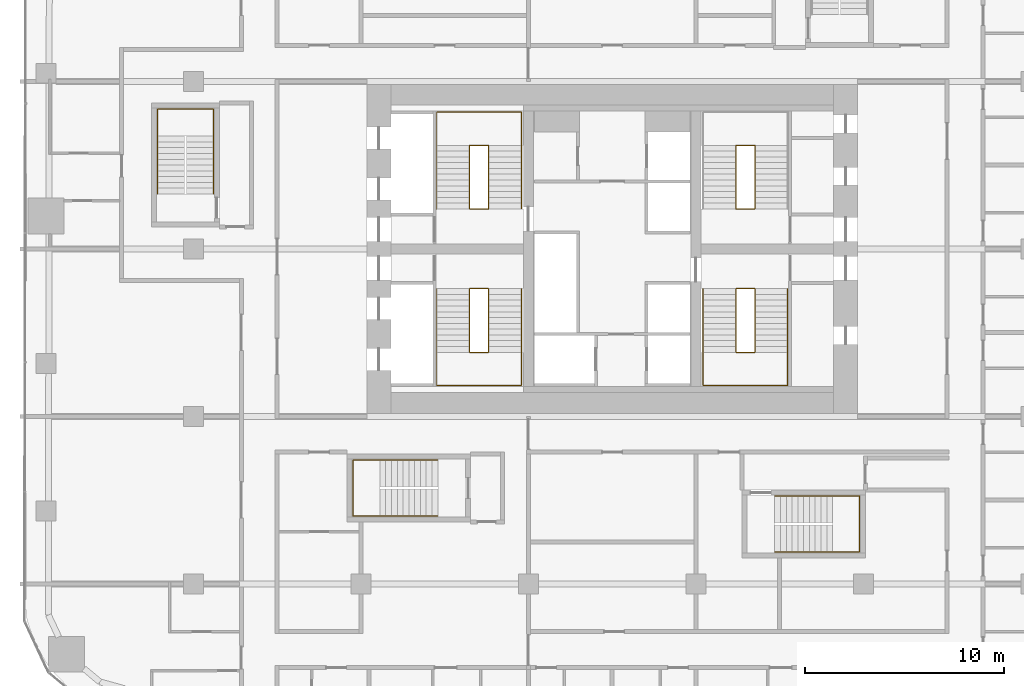
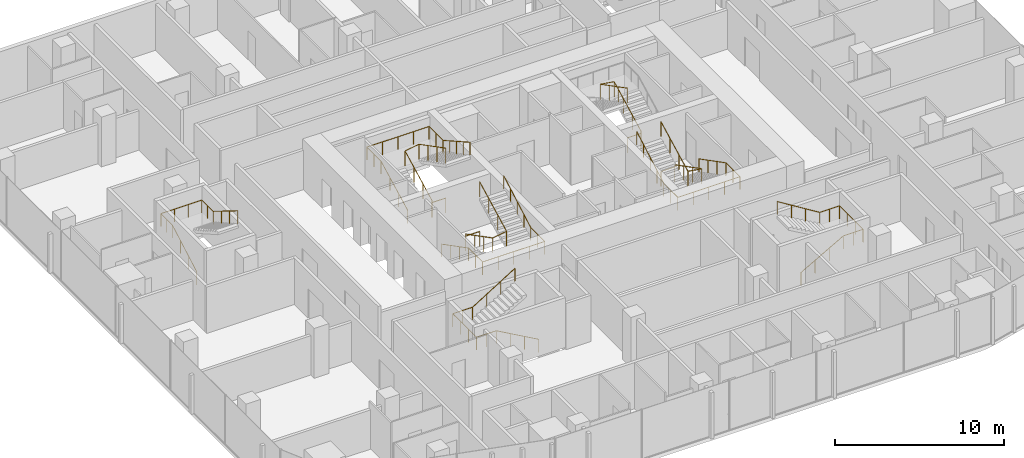
# One storey, part 25 of 26: 10 railings.
"""IFC4 building model written with IfcOpenShell, lengths in metres."""

from ifc_helpers import new_model, si_unit, direction, frame, origin, origin_2d, place, context, subcontext, project, spatial, circle, extrude, material, type_object, element, save


model = new_model("IFC4")

# Units and contexts
model_context = context("Model", 3, precision=1e-05, world=origin(), true_north=direction((0.0, 1.0)))
body_context = subcontext(model_context, "Body", "Model", "MODEL_VIEW")
ifc_project = project(units=[si_unit("LENGTHUNIT", "METRE"), si_unit("AREAUNIT", "SQUARE_METRE"), si_unit("VOLUMEUNIT", "CUBIC_METRE"), si_unit("PLANEANGLEUNIT", "RADIAN"), si_unit("MASSUNIT", "GRAM", prefix="KILO")], contexts=[model_context])

# Site, building, storey
site_placement = place(None, origin())
site = spatial("IfcSite", under=ifc_project, at=site_placement, CompositionType="ELEMENT")
building_placement = place(site_placement, origin())
building = spatial("IfcBuilding", under=site, at=building_placement, Name="Marenta Gate Hotel Tower", CompositionType="ELEMENT")
storey_placement = place(building_placement, frame((0.0, 0.0, 79.699951171875)))
storey = spatial("IfcBuildingStorey", under=building, at=storey_placement, Name="L18", CompositionType="ELEMENT", Elevation=79.699951171875)

# Railings
ifc_material_1 = material(Name="Stainless steel", Category="steel")
railing_type_1 = type_object("IfcRailingType", Name="Core stair handrail 950", PredefinedType="HANDRAIL", material=ifc_material_1)
railing_1_placement = place(storey_placement, frame((-8.800048828125, 6.39990234375, 0.150146484375)))
element("IfcRailing", 1, at=railing_1_placement, inside=storey, type_object=railing_type_1, Name="HR-950 L18-KR-ST1-1", PredefinedType="HANDRAIL", context=body_context, shape_type="SweptSolid", body=[
    extrude(circle(Radius=0.02392578125, at=origin_2d()), frame((0.0, 0.0, 0.92578125), z_axis=(0.0, -0.888225295554, 0.459408123936), x_axis=(1.0, 0.0, 0.0)), (0.0, 0.0, 1.0), 3.59130859375),
    extrude(circle(Radius=0.02392578125, at=origin_2d()), frame((0.0, -3.18994140625, 2.57568359375), z_axis=(0.0, -1.0, 0.0), x_axis=(1.0, 0.0, 0.0)), (0.0, 0.0, 1.0), 1.659912109375),
    extrude(circle(Radius=0.02392578125, at=origin_2d()), frame((0.0, -4.849853515625, 2.57568359375), z_axis=(1.0, 0.0, 0.0), x_axis=(0.0, 1.0, 0.0)), (0.0, 0.0, 1.0), 4.25),
    extrude(circle(Radius=0.02392578125, at=origin_2d()), frame((4.25, -4.849853515625, 2.57568359375), z_axis=(0.0, 1.0, 0.0), x_axis=(-1.0, 0.0, 0.0)), (0.0, 0.0, 1.0), 1.659912109375),
    extrude(circle(Radius=0.02392578125, at=origin_2d()), frame((4.25, -3.18994140625, 2.57568359375), z_axis=(0.0, 0.87090897868, 0.491444351738), x_axis=(-1.0, 0.0, 0.0)), (0.0, 0.0, 1.0), 3.662841796875),
    extrude(circle(Radius=0.02099609375, at=origin_2d()), origin(), (0.0, 0.0, 1.0), 0.90185546875),
    extrude(circle(Radius=0.02099609375, at=origin_2d()), frame((0.0, -1.063232421875, 0.550048828125)), (0.0, 0.0, 1.0), 0.90185546875),
    extrude(circle(Radius=0.02099609375, at=origin_2d()), frame((0.0, -2.126708984375, 1.099853515625)), (0.0, 0.0, 1.0), 0.90185546875),
    extrude(circle(Radius=0.02099609375, at=origin_2d()), frame((0.0, -3.18994140625, 1.64990234375)), (0.0, 0.0, 1.0), 0.90185546875),
    extrude(circle(Radius=0.02099609375, at=origin_2d()), frame((0.0, -4.02001953125, 1.64990234375)), (0.0, 0.0, 1.0), 0.90185546875),
    extrude(circle(Radius=0.02099609375, at=origin_2d()), frame((0.0, -4.849853515625, 1.64990234375)), (0.0, 0.0, 1.0), 0.90185546875),
    extrude(circle(Radius=0.02099609375, at=origin_2d()), frame((1.0625, -4.849853515625, 1.64990234375)), (0.0, 0.0, 1.0), 0.90185546875),
    extrude(circle(Radius=0.02099609375, at=origin_2d()), frame((2.125, -4.849853515625, 1.64990234375)), (0.0, 0.0, 1.0), 0.90185546875),
    extrude(circle(Radius=0.02099609375, at=origin_2d()), frame((3.1875, -4.849853515625, 1.64990234375)), (0.0, 0.0, 1.0), 0.90185546875),
    extrude(circle(Radius=0.02099609375, at=origin_2d()), frame((4.25, -4.849853515625, 1.64990234375)), (0.0, 0.0, 1.0), 0.90185546875),
    extrude(circle(Radius=0.02099609375, at=origin_2d()), frame((4.25, -4.02001953125, 1.64990234375)), (0.0, 0.0, 1.0), 0.90185546875),
    extrude(circle(Radius=0.02099609375, at=origin_2d()), frame((4.25, -3.18994140625, 1.64990234375)), (0.0, 0.0, 1.0), 0.90185546875),
    extrude(circle(Radius=0.02099609375, at=origin_2d()), frame((4.25, -2.392578125, 2.099853515625)), (0.0, 0.0, 1.0), 0.90185546875),
    extrude(circle(Radius=0.02099609375, at=origin_2d()), frame((4.25, -1.594970703125, 2.5498046875)), (0.0, 0.0, 1.0), 0.90185546875),
    extrude(circle(Radius=0.02099609375, at=origin_2d()), frame((4.25, -0.79736328125, 3.0)), (0.0, 0.0, 1.0), 0.90185546875),
    extrude(circle(Radius=0.02099609375, at=origin_2d()), frame((4.25, 0.0, 3.449951171875)), (0.0, 0.0, 1.0), 0.90185546875),
])
railing_2_placement = place(storey_placement, frame((-8.800048828125, 10.39990234375, 0.150146484375)))
element("IfcRailing", 2, at=railing_2_placement, inside=storey, type_object=railing_type_1, Name="HR-950 L18-KR-ST2-1", PredefinedType="HANDRAIL", context=body_context, shape_type="SweptSolid", body=[
    extrude(circle(Radius=0.02392578125, at=origin_2d()), frame((0.0, 0.0, 0.92578125), z_axis=(0.0, 0.888239641807, 0.459380385653), x_axis=(-1.0, 0.0, 0.0)), (0.0, 0.0, 1.0), 3.591552734375),
    extrude(circle(Radius=0.02392578125, at=origin_2d()), frame((0.0, 3.190185546875, 2.57568359375), z_axis=(0.0, 1.0, 0.0), x_axis=(-1.0, 0.0, 0.0)), (0.0, 0.0, 1.0), 1.659912109375),
    extrude(circle(Radius=0.02392578125, at=origin_2d()), frame((0.0, 4.85009765625, 2.57568359375), z_axis=(1.0, 0.0, 0.0), x_axis=(0.0, 1.0, 0.0)), (0.0, 0.0, 1.0), 4.25),
    extrude(circle(Radius=0.02392578125, at=origin_2d()), frame((4.25, 4.85009765625, 2.57568359375), z_axis=(0.0, -1.0, 0.0), x_axis=(1.0, 0.0, 0.0)), (0.0, 0.0, 1.0), 1.659912109375),
    extrude(circle(Radius=0.02392578125, at=origin_2d()), frame((4.25, 3.190185546875, 2.57568359375), z_axis=(0.0, -0.870925075533, 0.491415824742), x_axis=(1.0, 0.0, 0.0)), (0.0, 0.0, 1.0), 3.6630859375),
    extrude(circle(Radius=0.02099609375, at=origin_2d()), origin(), (0.0, 0.0, 1.0), 0.90185546875),
    extrude(circle(Radius=0.02099609375, at=origin_2d()), frame((0.0, 1.0634765625, 0.550048828125)), (0.0, 0.0, 1.0), 0.90185546875),
    extrude(circle(Radius=0.02099609375, at=origin_2d()), frame((0.0, 2.126708984375, 1.099853515625)), (0.0, 0.0, 1.0), 0.90185546875),
    extrude(circle(Radius=0.02099609375, at=origin_2d()), frame((0.0, 3.190185546875, 1.64990234375)), (0.0, 0.0, 1.0), 0.90185546875),
    extrude(circle(Radius=0.02099609375, at=origin_2d()), frame((0.0, 4.02001953125, 1.64990234375)), (0.0, 0.0, 1.0), 0.90185546875),
    extrude(circle(Radius=0.02099609375, at=origin_2d()), frame((0.0, 4.85009765625, 1.64990234375)), (0.0, 0.0, 1.0), 0.90185546875),
    extrude(circle(Radius=0.02099609375, at=origin_2d()), frame((1.0625, 4.85009765625, 1.64990234375)), (0.0, 0.0, 1.0), 0.90185546875),
    extrude(circle(Radius=0.02099609375, at=origin_2d()), frame((2.125, 4.85009765625, 1.64990234375)), (0.0, 0.0, 1.0), 0.90185546875),
    extrude(circle(Radius=0.02099609375, at=origin_2d()), frame((3.1875, 4.85009765625, 1.64990234375)), (0.0, 0.0, 1.0), 0.90185546875),
    extrude(circle(Radius=0.02099609375, at=origin_2d()), frame((4.25, 4.85009765625, 1.64990234375)), (0.0, 0.0, 1.0), 0.90185546875),
    extrude(circle(Radius=0.02099609375, at=origin_2d()), frame((4.25, 4.02001953125, 1.64990234375)), (0.0, 0.0, 1.0), 0.90185546875),
    extrude(circle(Radius=0.02099609375, at=origin_2d()), frame((4.25, 3.190185546875, 1.64990234375)), (0.0, 0.0, 1.0), 0.90185546875),
    extrude(circle(Radius=0.02099609375, at=origin_2d()), frame((4.25, 2.392578125, 2.099853515625)), (0.0, 0.0, 1.0), 0.90185546875),
    extrude(circle(Radius=0.02099609375, at=origin_2d()), frame((4.25, 1.59521484375, 2.5498046875)), (0.0, 0.0, 1.0), 0.90185546875),
    extrude(circle(Radius=0.02099609375, at=origin_2d()), frame((4.25, 0.797607421875, 3.0)), (0.0, 0.0, 1.0), 0.90185546875),
    extrude(circle(Radius=0.02099609375, at=origin_2d()), frame((4.25, 0.0, 3.449951171875)), (0.0, 0.0, 1.0), 0.90185546875),
])
railing_3_placement = place(storey_placement, frame((8.800048828125, 6.39990234375, 0.150146484375)))
element("IfcRailing", 3, at=railing_3_placement, inside=storey, type_object=railing_type_1, Name="HR-950 L18-KR-ST3-1", PredefinedType="HANDRAIL", context=body_context, shape_type="SweptSolid", body=[
    extrude(circle(Radius=0.02392578125, at=origin_2d()), frame((0.0, 0.0, 0.92578125), z_axis=(0.0, -0.888225295554, 0.459408123936), x_axis=(1.0, 0.0, 0.0)), (0.0, 0.0, 1.0), 3.59130859375),
    extrude(circle(Radius=0.02392578125, at=origin_2d()), frame((0.0, -3.18994140625, 2.57568359375), z_axis=(0.0, -1.0, 0.0), x_axis=(1.0, 0.0, 0.0)), (0.0, 0.0, 1.0), 1.659912109375),
    extrude(circle(Radius=0.02392578125, at=origin_2d()), frame((0.0, -4.849853515625, 2.57568359375), z_axis=(-1.0, 0.0, 0.0), x_axis=(0.0, -1.0, 0.0)), (0.0, 0.0, 1.0), 4.25),
    extrude(circle(Radius=0.02392578125, at=origin_2d()), frame((-4.25, -4.849853515625, 2.57568359375), z_axis=(0.0, 1.0, 0.0), x_axis=(-1.0, 0.0, 0.0)), (0.0, 0.0, 1.0), 1.659912109375),
    extrude(circle(Radius=0.02392578125, at=origin_2d()), frame((-4.25, -3.18994140625, 2.57568359375), z_axis=(0.0, 0.87090897868, 0.491444351738), x_axis=(-1.0, 0.0, 0.0)), (0.0, 0.0, 1.0), 3.662841796875),
    extrude(circle(Radius=0.02099609375, at=origin_2d()), origin(), (0.0, 0.0, 1.0), 0.90185546875),
    extrude(circle(Radius=0.02099609375, at=origin_2d()), frame((0.0, -1.063232421875, 0.550048828125)), (0.0, 0.0, 1.0), 0.90185546875),
    extrude(circle(Radius=0.02099609375, at=origin_2d()), frame((0.0, -2.126708984375, 1.099853515625)), (0.0, 0.0, 1.0), 0.90185546875),
    extrude(circle(Radius=0.02099609375, at=origin_2d()), frame((0.0, -3.18994140625, 1.64990234375)), (0.0, 0.0, 1.0), 0.90185546875),
    extrude(circle(Radius=0.02099609375, at=origin_2d()), frame((0.0, -4.02001953125, 1.64990234375)), (0.0, 0.0, 1.0), 0.90185546875),
    extrude(circle(Radius=0.02099609375, at=origin_2d()), frame((0.0, -4.849853515625, 1.64990234375)), (0.0, 0.0, 1.0), 0.90185546875),
    extrude(circle(Radius=0.02099609375, at=origin_2d()), frame((-1.0625, -4.849853515625, 1.64990234375)), (0.0, 0.0, 1.0), 0.90185546875),
    extrude(circle(Radius=0.02099609375, at=origin_2d()), frame((-2.125, -4.849853515625, 1.64990234375)), (0.0, 0.0, 1.0), 0.90185546875),
    extrude(circle(Radius=0.02099609375, at=origin_2d()), frame((-3.1875, -4.849853515625, 1.64990234375)), (0.0, 0.0, 1.0), 0.90185546875),
    extrude(circle(Radius=0.02099609375, at=origin_2d()), frame((-4.25, -4.849853515625, 1.64990234375)), (0.0, 0.0, 1.0), 0.90185546875),
    extrude(circle(Radius=0.02099609375, at=origin_2d()), frame((-4.25, -4.02001953125, 1.64990234375)), (0.0, 0.0, 1.0), 0.90185546875),
    extrude(circle(Radius=0.02099609375, at=origin_2d()), frame((-4.25, -3.18994140625, 1.64990234375)), (0.0, 0.0, 1.0), 0.90185546875),
    extrude(circle(Radius=0.02099609375, at=origin_2d()), frame((-4.25, -2.392578125, 2.099853515625)), (0.0, 0.0, 1.0), 0.90185546875),
    extrude(circle(Radius=0.02099609375, at=origin_2d()), frame((-4.25, -1.594970703125, 2.5498046875)), (0.0, 0.0, 1.0), 0.90185546875),
    extrude(circle(Radius=0.02099609375, at=origin_2d()), frame((-4.25, -0.79736328125, 3.0)), (0.0, 0.0, 1.0), 0.90185546875),
    extrude(circle(Radius=0.02099609375, at=origin_2d()), frame((-4.25, 0.0, 3.449951171875)), (0.0, 0.0, 1.0), 0.90185546875),
])
railing_4_placement = place(storey_placement, frame((8.14990234375, -6.800048828125, 0.16357421875)))
element("IfcRailing", 4, at=railing_4_placement, inside=storey, type_object=railing_type_1, Name="HR-950 L18-RS-Z1-1-KR-1", PredefinedType="HANDRAIL", context=body_context, shape_type="SweptSolid", body=[
    extrude(circle(Radius=0.02392578125, at=origin_2d()), frame((0.0, 0.0, 0.92578125), z_axis=(0.870914908162, 0.0, 0.491433843708), x_axis=(0.0, 1.0, 0.0)), (0.0, 0.0, 1.0), 3.330078125),
    extrude(circle(Radius=0.02392578125, at=origin_2d()), frame((2.900146484375, 0.0, 2.5625), z_axis=(1.0, 0.0, 0.0), x_axis=(0.0, 1.0, 0.0)), (0.0, 0.0, 1.0), 1.349853515625),
    extrude(circle(Radius=0.02392578125, at=origin_2d()), frame((4.25, 0.0, 2.5625), z_axis=(0.0, 1.0, 0.0), x_axis=(-1.0, 0.0, 0.0)), (0.0, 0.0, 1.0), 2.800048828125),
    extrude(circle(Radius=0.02392578125, at=origin_2d()), frame((4.25, 2.800048828125, 2.5625), z_axis=(-1.0, 0.0, 0.0), x_axis=(0.0, -1.0, 0.0)), (0.0, 0.0, 1.0), 1.349853515625),
    extrude(circle(Radius=0.02392578125, at=origin_2d()), frame((2.900146484375, 2.800048828125, 2.5625), z_axis=(-0.849645691689, 0.0, 0.527353959494), x_axis=(0.0, -1.0, 0.0)), (0.0, 0.0, 1.0), 3.413330078125),
    extrude(circle(Radius=0.02099609375, at=origin_2d()), origin(), (0.0, 0.0, 1.0), 0.90185546875),
    extrude(circle(Radius=0.02099609375, at=origin_2d()), frame((0.966796875, 0.0, 0.54541015625)), (0.0, 0.0, 1.0), 0.90185546875),
    extrude(circle(Radius=0.02099609375, at=origin_2d()), frame((1.933349609375, 0.0, 1.091064453125)), (0.0, 0.0, 1.0), 0.90185546875),
    extrude(circle(Radius=0.02099609375, at=origin_2d()), frame((2.900146484375, 0.0, 1.636474609375)), (0.0, 0.0, 1.0), 0.90185546875),
    extrude(circle(Radius=0.02099609375, at=origin_2d()), frame((3.5751953125, 0.0, 1.636474609375)), (0.0, 0.0, 1.0), 0.90185546875),
    extrude(circle(Radius=0.02099609375, at=origin_2d()), frame((4.25, 0.0, 1.636474609375)), (0.0, 0.0, 1.0), 0.90185546875),
    extrude(circle(Radius=0.02099609375, at=origin_2d()), frame((4.25, 0.933349609375, 1.636474609375)), (0.0, 0.0, 1.0), 0.90185546875),
    extrude(circle(Radius=0.02099609375, at=origin_2d()), frame((4.25, 1.86669921875, 1.636474609375)), (0.0, 0.0, 1.0), 0.90185546875),
    extrude(circle(Radius=0.02099609375, at=origin_2d()), frame((4.25, 2.800048828125, 1.636474609375)), (0.0, 0.0, 1.0), 0.90185546875),
    extrude(circle(Radius=0.02099609375, at=origin_2d()), frame((3.5751953125, 2.800048828125, 1.636474609375)), (0.0, 0.0, 1.0), 0.90185546875),
    extrude(circle(Radius=0.02099609375, at=origin_2d()), frame((2.900146484375, 2.800048828125, 1.636474609375)), (0.0, 0.0, 1.0), 0.90185546875),
    extrude(circle(Radius=0.02099609375, at=origin_2d()), frame((1.933349609375, 2.800048828125, 2.236572265625)), (0.0, 0.0, 1.0), 0.90185546875),
    extrude(circle(Radius=0.02099609375, at=origin_2d()), frame((0.966796875, 2.800048828125, 2.83642578125)), (0.0, 0.0, 1.0), 0.90185546875),
    extrude(circle(Radius=0.02099609375, at=origin_2d()), frame((0.0, 2.800048828125, 3.4365234375)), (0.0, 0.0, 1.0), 0.90185546875),
])
railing_5_placement = place(storey_placement, frame((-8.75, -5.0, 0.16357421875)))
element("IfcRailing", 5, at=railing_5_placement, inside=storey, type_object=railing_type_1, Name="HR-950 L18-RS-Z1-2-KR-1", PredefinedType="HANDRAIL", context=body_context, shape_type="SweptSolid", body=[
    extrude(circle(Radius=0.02392578125, at=origin_2d()), frame((0.0, 0.0, 0.92578125), z_axis=(-0.870897200241, 0.0, 0.491465224214), x_axis=(0.0, -1.0, 0.0)), (0.0, 0.0, 1.0), 3.329833984375),
    extrude(circle(Radius=0.02392578125, at=origin_2d()), frame((-2.89990234375, 0.0, 2.5625), z_axis=(-1.0, 0.0, 0.0), x_axis=(0.0, -1.0, 0.0)), (0.0, 0.0, 1.0), 1.35009765625),
    extrude(circle(Radius=0.02392578125, at=origin_2d()), frame((-4.25, 0.0, 2.5625), z_axis=(0.0, 1.0, 0.0), x_axis=(-1.0, 0.0, 0.0)), (0.0, 0.0, 1.0), 2.800048828125),
    extrude(circle(Radius=0.02392578125, at=origin_2d()), frame((-4.25, 2.800048828125, 2.5625), z_axis=(1.0, 0.0, 0.0), x_axis=(0.0, 1.0, 0.0)), (0.0, 0.0, 1.0), 1.35009765625),
    extrude(circle(Radius=0.02392578125, at=origin_2d()), frame((-2.89990234375, 2.800048828125, 2.5625), z_axis=(0.849625798611, 0.0, 0.527386008853), x_axis=(0.0, 1.0, 0.0)), (0.0, 0.0, 1.0), 3.4130859375),
    extrude(circle(Radius=0.02099609375, at=origin_2d()), origin(), (0.0, 0.0, 1.0), 0.90185546875),
    extrude(circle(Radius=0.02099609375, at=origin_2d()), frame((-0.966552734375, 0.0, 0.54541015625)), (0.0, 0.0, 1.0), 0.90185546875),
    extrude(circle(Radius=0.02099609375, at=origin_2d()), frame((-1.933349609375, 0.0, 1.091064453125)), (0.0, 0.0, 1.0), 0.90185546875),
    extrude(circle(Radius=0.02099609375, at=origin_2d()), frame((-2.89990234375, 0.0, 1.636474609375)), (0.0, 0.0, 1.0), 0.90185546875),
    extrude(circle(Radius=0.02099609375, at=origin_2d()), frame((-3.574951171875, 0.0, 1.636474609375)), (0.0, 0.0, 1.0), 0.90185546875),
    extrude(circle(Radius=0.02099609375, at=origin_2d()), frame((-4.25, 0.0, 1.636474609375)), (0.0, 0.0, 1.0), 0.90185546875),
    extrude(circle(Radius=0.02099609375, at=origin_2d()), frame((-4.25, 0.933349609375, 1.636474609375)), (0.0, 0.0, 1.0), 0.90185546875),
    extrude(circle(Radius=0.02099609375, at=origin_2d()), frame((-4.25, 1.86669921875, 1.636474609375)), (0.0, 0.0, 1.0), 0.90185546875),
    extrude(circle(Radius=0.02099609375, at=origin_2d()), frame((-4.25, 2.800048828125, 1.636474609375)), (0.0, 0.0, 1.0), 0.90185546875),
    extrude(circle(Radius=0.02099609375, at=origin_2d()), frame((-3.574951171875, 2.800048828125, 1.636474609375)), (0.0, 0.0, 1.0), 0.90185546875),
    extrude(circle(Radius=0.02099609375, at=origin_2d()), frame((-2.89990234375, 2.800048828125, 1.636474609375)), (0.0, 0.0, 1.0), 0.90185546875),
    extrude(circle(Radius=0.02099609375, at=origin_2d()), frame((-1.933349609375, 2.800048828125, 2.236572265625)), (0.0, 0.0, 1.0), 0.90185546875),
    extrude(circle(Radius=0.02099609375, at=origin_2d()), frame((-0.966552734375, 2.800048828125, 2.83642578125)), (0.0, 0.0, 1.0), 0.90185546875),
    extrude(circle(Radius=0.02099609375, at=origin_2d()), frame((0.0, 2.800048828125, 3.4365234375)), (0.0, 0.0, 1.0), 0.90185546875),
])
railing_6_placement = place(storey_placement, frame((-22.800048828125, 11.14990234375, 0.16357421875)))
element("IfcRailing", 6, at=railing_6_placement, inside=storey, type_object=railing_type_1, Name="HR-950 L18-RS-Z1-3-KR-1", PredefinedType="HANDRAIL", context=body_context, shape_type="SweptSolid", body=[
    extrude(circle(Radius=0.02392578125, at=origin_2d()), frame((0.0, 0.0, 0.92578125), z_axis=(0.0, 0.870914908162, 0.491433843708), x_axis=(-1.0, 0.0, 0.0)), (0.0, 0.0, 1.0), 3.330078125),
    extrude(circle(Radius=0.02392578125, at=origin_2d()), frame((0.0, 2.900146484375, 2.5625), z_axis=(0.0, 1.0, 0.0), x_axis=(-1.0, 0.0, 0.0)), (0.0, 0.0, 1.0), 1.349853515625),
    extrude(circle(Radius=0.02392578125, at=origin_2d()), frame((0.0, 4.25, 2.5625), z_axis=(1.0, 0.0, 0.0), x_axis=(0.0, 1.0, 0.0)), (0.0, 0.0, 1.0), 2.800048828125),
    extrude(circle(Radius=0.02392578125, at=origin_2d()), frame((2.800048828125, 4.25, 2.5625), z_axis=(0.0, -1.0, 0.0), x_axis=(1.0, 0.0, 0.0)), (0.0, 0.0, 1.0), 1.349853515625),
    extrude(circle(Radius=0.02392578125, at=origin_2d()), frame((2.800048828125, 2.900146484375, 2.5625), z_axis=(0.0, -0.849645691689, 0.527353959494), x_axis=(1.0, 0.0, 0.0)), (0.0, 0.0, 1.0), 3.413330078125),
    extrude(circle(Radius=0.02099609375, at=origin_2d()), origin(), (0.0, 0.0, 1.0), 0.90185546875),
    extrude(circle(Radius=0.02099609375, at=origin_2d()), frame((0.0, 0.966796875, 0.54541015625)), (0.0, 0.0, 1.0), 0.90185546875),
    extrude(circle(Radius=0.02099609375, at=origin_2d()), frame((0.0, 1.933349609375, 1.091064453125)), (0.0, 0.0, 1.0), 0.90185546875),
    extrude(circle(Radius=0.02099609375, at=origin_2d()), frame((0.0, 2.900146484375, 1.636474609375)), (0.0, 0.0, 1.0), 0.90185546875),
    extrude(circle(Radius=0.02099609375, at=origin_2d()), frame((0.0, 3.5751953125, 1.636474609375)), (0.0, 0.0, 1.0), 0.90185546875),
    extrude(circle(Radius=0.02099609375, at=origin_2d()), frame((0.0, 4.25, 1.636474609375)), (0.0, 0.0, 1.0), 0.90185546875),
    extrude(circle(Radius=0.02099609375, at=origin_2d()), frame((0.933349609375, 4.25, 1.636474609375)), (0.0, 0.0, 1.0), 0.90185546875),
    extrude(circle(Radius=0.02099609375, at=origin_2d()), frame((1.86669921875, 4.25, 1.636474609375)), (0.0, 0.0, 1.0), 0.90185546875),
    extrude(circle(Radius=0.02099609375, at=origin_2d()), frame((2.800048828125, 4.25, 1.636474609375)), (0.0, 0.0, 1.0), 0.90185546875),
    extrude(circle(Radius=0.02099609375, at=origin_2d()), frame((2.800048828125, 3.5751953125, 1.636474609375)), (0.0, 0.0, 1.0), 0.90185546875),
    extrude(circle(Radius=0.02099609375, at=origin_2d()), frame((2.800048828125, 2.900146484375, 1.636474609375)), (0.0, 0.0, 1.0), 0.90185546875),
    extrude(circle(Radius=0.02099609375, at=origin_2d()), frame((2.800048828125, 1.933349609375, 2.236572265625)), (0.0, 0.0, 1.0), 0.90185546875),
    extrude(circle(Radius=0.02099609375, at=origin_2d()), frame((2.800048828125, 0.966796875, 2.83642578125)), (0.0, 0.0, 1.0), 0.90185546875),
    extrude(circle(Radius=0.02099609375, at=origin_2d()), frame((2.800048828125, 0.0, 3.4365234375)), (0.0, 0.0, 1.0), 0.90185546875),
])
ifc_material_2 = material(Name="Stainless steel", Category="steel")
railing_type_2 = type_object("IfcRailingType", Name="Core stair well guard 1100", PredefinedType="GUARDRAIL", material=ifc_material_2)
railing_7_placement = place(storey_placement, frame((-6.199951171875, 6.39990234375, 0.0)))
element("IfcRailing", 7, at=railing_7_placement, inside=storey, type_object=railing_type_2, Name="GR-1100 L18-KR-ST1-2", PredefinedType="GUARDRAIL", context=body_context, shape_type="SweptSolid", body=[
    extrude(circle(Radius=0.02392578125, at=origin_2d()), frame((0.0, 0.0, 1.076171875), z_axis=(-1.0, 0.0, 0.0), x_axis=(0.0, -1.0, 0.0)), (0.0, 0.0, 1.0), 0.949951171875),
    extrude(circle(Radius=0.02392578125, at=origin_2d()), frame((-0.949951171875, 0.0, 1.076171875), z_axis=(0.0, 0.0, 1.0), x_axis=(1.0, 0.0, 0.0)), (0.0, 0.0, 1.0), 0.150146484375),
    extrude(circle(Radius=0.02392578125, at=origin_2d()), frame((-0.949951171875, 0.0, 1.22607421875), z_axis=(0.0, -0.888225295554, 0.459408123936), x_axis=(1.0, 0.0, 0.0)), (0.0, 0.0, 1.0), 3.59130859375),
    extrude(circle(Radius=0.02392578125, at=origin_2d()), frame((-0.949951171875, -3.18994140625, 2.8759765625), z_axis=(0.987777369502, 0.0, 0.15587131968), x_axis=(0.0, 1.0, 0.0)), (0.0, 0.0, 1.0), 0.961669921875),
    extrude(circle(Radius=0.02392578125, at=origin_2d()), frame((0.0, -3.18994140625, 3.02587890625), z_axis=(0.0, 0.888197555067, 0.459461753765), x_axis=(-1.0, 0.0, 0.0)), (0.0, 0.0, 1.0), 3.591552734375),
    extrude(circle(Radius=0.02099609375, at=origin_2d()), origin(), (0.0, 0.0, 1.0), 1.052001953125),
    extrude(circle(Radius=0.02099609375, at=origin_2d()), frame((-0.949951171875, 0.0, 0.0)), (0.0, 0.0, 1.0), 1.052001953125),
    extrude(circle(Radius=0.02099609375, at=origin_2d()), frame((-0.949951171875, 0.0, 0.150146484375)), (0.0, 0.0, 1.0), 1.052001953125),
    extrude(circle(Radius=0.02099609375, at=origin_2d()), frame((-0.949951171875, -1.063232421875, 0.7001953125)), (0.0, 0.0, 1.0), 1.052001953125),
    extrude(circle(Radius=0.02099609375, at=origin_2d()), frame((-0.949951171875, -2.126708984375, 1.25)), (0.0, 0.0, 1.0), 1.052001953125),
    extrude(circle(Radius=0.02099609375, at=origin_2d()), frame((-0.949951171875, -3.18994140625, 1.800048828125)), (0.0, 0.0, 1.0), 1.052001953125),
    extrude(circle(Radius=0.02099609375, at=origin_2d()), frame((0.0, -3.18994140625, 1.949951171875)), (0.0, 0.0, 1.0), 1.052001953125),
    extrude(circle(Radius=0.02099609375, at=origin_2d()), frame((0.0, -2.126708984375, 2.5)), (0.0, 0.0, 1.0), 1.052001953125),
    extrude(circle(Radius=0.02099609375, at=origin_2d()), frame((0.0, -1.063232421875, 3.050048828125)), (0.0, 0.0, 1.0), 1.052001953125),
    extrude(circle(Radius=0.02099609375, at=origin_2d()), frame((0.0, 0.0, 3.60009765625)), (0.0, 0.0, 1.0), 1.052001953125),
])
railing_8_placement = place(storey_placement, frame((-6.199951171875, 10.39990234375, 0.0)))
element("IfcRailing", 8, at=railing_8_placement, inside=storey, type_object=railing_type_2, Name="GR-1100 L18-KR-ST2-2", PredefinedType="GUARDRAIL", context=body_context, shape_type="SweptSolid", body=[
    extrude(circle(Radius=0.02392578125, at=origin_2d()), frame((0.0, 0.0, 1.076171875), z_axis=(-1.0, 0.0, 0.0), x_axis=(0.0, -1.0, 0.0)), (0.0, 0.0, 1.0), 0.949951171875),
    extrude(circle(Radius=0.02392578125, at=origin_2d()), frame((-0.949951171875, 0.0, 1.076171875), z_axis=(0.0, 0.0, 1.0), x_axis=(1.0, 0.0, 0.0)), (0.0, 0.0, 1.0), 0.150146484375),
    extrude(circle(Radius=0.02392578125, at=origin_2d()), frame((-0.949951171875, 0.0, 1.22607421875), z_axis=(0.0, 0.888239641807, 0.459380385653), x_axis=(-1.0, 0.0, 0.0)), (0.0, 0.0, 1.0), 3.591552734375),
    extrude(circle(Radius=0.02392578125, at=origin_2d()), frame((-0.949951171875, 3.190185546875, 2.8759765625), z_axis=(0.987777369502, 0.0, 0.15587131968), x_axis=(0.0, 1.0, 0.0)), (0.0, 0.0, 1.0), 0.961669921875),
    extrude(circle(Radius=0.02392578125, at=origin_2d()), frame((0.0, 3.190185546875, 3.02587890625), z_axis=(0.0, -0.888211904222, 0.459434013977), x_axis=(1.0, 0.0, 0.0)), (0.0, 0.0, 1.0), 3.591796875),
    extrude(circle(Radius=0.02099609375, at=origin_2d()), origin(), (0.0, 0.0, 1.0), 1.052001953125),
    extrude(circle(Radius=0.02099609375, at=origin_2d()), frame((-0.949951171875, 0.0, 0.0)), (0.0, 0.0, 1.0), 1.052001953125),
    extrude(circle(Radius=0.02099609375, at=origin_2d()), frame((-0.949951171875, 0.0, 0.150146484375)), (0.0, 0.0, 1.0), 1.052001953125),
    extrude(circle(Radius=0.02099609375, at=origin_2d()), frame((-0.949951171875, 1.0634765625, 0.7001953125)), (0.0, 0.0, 1.0), 1.052001953125),
    extrude(circle(Radius=0.02099609375, at=origin_2d()), frame((-0.949951171875, 2.126708984375, 1.25)), (0.0, 0.0, 1.0), 1.052001953125),
    extrude(circle(Radius=0.02099609375, at=origin_2d()), frame((-0.949951171875, 3.190185546875, 1.800048828125)), (0.0, 0.0, 1.0), 1.052001953125),
    extrude(circle(Radius=0.02099609375, at=origin_2d()), frame((0.0, 3.190185546875, 1.949951171875)), (0.0, 0.0, 1.0), 1.052001953125),
    extrude(circle(Radius=0.02099609375, at=origin_2d()), frame((0.0, 2.126708984375, 2.5)), (0.0, 0.0, 1.0), 1.052001953125),
    extrude(circle(Radius=0.02099609375, at=origin_2d()), frame((0.0, 1.0634765625, 3.050048828125)), (0.0, 0.0, 1.0), 1.052001953125),
    extrude(circle(Radius=0.02099609375, at=origin_2d()), frame((0.0, 0.0, 3.60009765625)), (0.0, 0.0, 1.0), 1.052001953125),
])
railing_9_placement = place(storey_placement, frame((6.199951171875, 6.39990234375, 0.0)))
element("IfcRailing", 9, at=railing_9_placement, inside=storey, type_object=railing_type_2, Name="GR-1100 L18-KR-ST3-2", PredefinedType="GUARDRAIL", context=body_context, shape_type="SweptSolid", body=[
    extrude(circle(Radius=0.02392578125, at=origin_2d()), frame((0.0, 0.0, 1.076171875), z_axis=(1.0, 0.0, 0.0), x_axis=(0.0, 1.0, 0.0)), (0.0, 0.0, 1.0), 0.949951171875),
    extrude(circle(Radius=0.02392578125, at=origin_2d()), frame((0.949951171875, 0.0, 1.076171875), z_axis=(0.0, 0.0, 1.0), x_axis=(1.0, 0.0, 0.0)), (0.0, 0.0, 1.0), 0.150146484375),
    extrude(circle(Radius=0.02392578125, at=origin_2d()), frame((0.949951171875, 0.0, 1.22607421875), z_axis=(0.0, -0.888225295554, 0.459408123936), x_axis=(1.0, 0.0, 0.0)), (0.0, 0.0, 1.0), 3.59130859375),
    extrude(circle(Radius=0.02392578125, at=origin_2d()), frame((0.949951171875, -3.18994140625, 2.8759765625), z_axis=(-0.987777369502, 0.0, 0.15587131968), x_axis=(0.0, -1.0, 0.0)), (0.0, 0.0, 1.0), 0.961669921875),
    extrude(circle(Radius=0.02392578125, at=origin_2d()), frame((0.0, -3.18994140625, 3.02587890625), z_axis=(0.0, 0.888197555067, 0.459461753765), x_axis=(-1.0, 0.0, 0.0)), (0.0, 0.0, 1.0), 3.591552734375),
    extrude(circle(Radius=0.02099609375, at=origin_2d()), origin(), (0.0, 0.0, 1.0), 1.052001953125),
    extrude(circle(Radius=0.02099609375, at=origin_2d()), frame((0.949951171875, 0.0, 0.0)), (0.0, 0.0, 1.0), 1.052001953125),
    extrude(circle(Radius=0.02099609375, at=origin_2d()), frame((0.949951171875, 0.0, 0.150146484375)), (0.0, 0.0, 1.0), 1.052001953125),
    extrude(circle(Radius=0.02099609375, at=origin_2d()), frame((0.949951171875, -1.063232421875, 0.7001953125)), (0.0, 0.0, 1.0), 1.052001953125),
    extrude(circle(Radius=0.02099609375, at=origin_2d()), frame((0.949951171875, -2.126708984375, 1.25)), (0.0, 0.0, 1.0), 1.052001953125),
    extrude(circle(Radius=0.02099609375, at=origin_2d()), frame((0.949951171875, -3.18994140625, 1.800048828125)), (0.0, 0.0, 1.0), 1.052001953125),
    extrude(circle(Radius=0.02099609375, at=origin_2d()), frame((0.0, -3.18994140625, 1.949951171875)), (0.0, 0.0, 1.0), 1.052001953125),
    extrude(circle(Radius=0.02099609375, at=origin_2d()), frame((0.0, -2.126708984375, 2.5)), (0.0, 0.0, 1.0), 1.052001953125),
    extrude(circle(Radius=0.02099609375, at=origin_2d()), frame((0.0, -1.063232421875, 3.050048828125)), (0.0, 0.0, 1.0), 1.052001953125),
    extrude(circle(Radius=0.02099609375, at=origin_2d()), frame((0.0, 0.0, 3.60009765625)), (0.0, 0.0, 1.0), 1.052001953125),
])
railing_10_placement = place(storey_placement, frame((6.199951171875, 10.39990234375, 0.0)))
element("IfcRailing", 10, at=railing_10_placement, inside=storey, type_object=railing_type_2, Name="GR-1100 L18-KR-ST4-2", PredefinedType="GUARDRAIL", context=body_context, shape_type="SweptSolid", body=[
    extrude(circle(Radius=0.02392578125, at=origin_2d()), frame((0.0, 0.0, 1.076171875), z_axis=(1.0, 0.0, 0.0), x_axis=(0.0, 1.0, 0.0)), (0.0, 0.0, 1.0), 0.949951171875),
    extrude(circle(Radius=0.02392578125, at=origin_2d()), frame((0.949951171875, 0.0, 1.076171875), z_axis=(0.0, 0.0, 1.0), x_axis=(1.0, 0.0, 0.0)), (0.0, 0.0, 1.0), 0.150146484375),
    extrude(circle(Radius=0.02392578125, at=origin_2d()), frame((0.949951171875, 0.0, 1.22607421875), z_axis=(0.0, 0.888239641807, 0.459380385653), x_axis=(-1.0, 0.0, 0.0)), (0.0, 0.0, 1.0), 3.591552734375),
    extrude(circle(Radius=0.02392578125, at=origin_2d()), frame((0.949951171875, 3.190185546875, 2.8759765625), z_axis=(-0.987777369502, 0.0, 0.15587131968), x_axis=(0.0, -1.0, 0.0)), (0.0, 0.0, 1.0), 0.961669921875),
    extrude(circle(Radius=0.02392578125, at=origin_2d()), frame((0.0, 3.190185546875, 3.02587890625), z_axis=(0.0, -0.888211904222, 0.459434013977), x_axis=(1.0, 0.0, 0.0)), (0.0, 0.0, 1.0), 3.591796875),
    extrude(circle(Radius=0.02099609375, at=origin_2d()), origin(), (0.0, 0.0, 1.0), 1.052001953125),
    extrude(circle(Radius=0.02099609375, at=origin_2d()), frame((0.949951171875, 0.0, 0.0)), (0.0, 0.0, 1.0), 1.052001953125),
    extrude(circle(Radius=0.02099609375, at=origin_2d()), frame((0.949951171875, 0.0, 0.150146484375)), (0.0, 0.0, 1.0), 1.052001953125),
    extrude(circle(Radius=0.02099609375, at=origin_2d()), frame((0.949951171875, 1.0634765625, 0.7001953125)), (0.0, 0.0, 1.0), 1.052001953125),
    extrude(circle(Radius=0.02099609375, at=origin_2d()), frame((0.949951171875, 2.126708984375, 1.25)), (0.0, 0.0, 1.0), 1.052001953125),
    extrude(circle(Radius=0.02099609375, at=origin_2d()), frame((0.949951171875, 3.190185546875, 1.800048828125)), (0.0, 0.0, 1.0), 1.052001953125),
    extrude(circle(Radius=0.02099609375, at=origin_2d()), frame((0.0, 3.190185546875, 1.949951171875)), (0.0, 0.0, 1.0), 1.052001953125),
    extrude(circle(Radius=0.02099609375, at=origin_2d()), frame((0.0, 2.126708984375, 2.5)), (0.0, 0.0, 1.0), 1.052001953125),
    extrude(circle(Radius=0.02099609375, at=origin_2d()), frame((0.0, 1.0634765625, 3.050048828125)), (0.0, 0.0, 1.0), 1.052001953125),
    extrude(circle(Radius=0.02099609375, at=origin_2d()), frame((0.0, 0.0, 3.60009765625)), (0.0, 0.0, 1.0), 1.052001953125),
])

save(model, "model.ifc")
